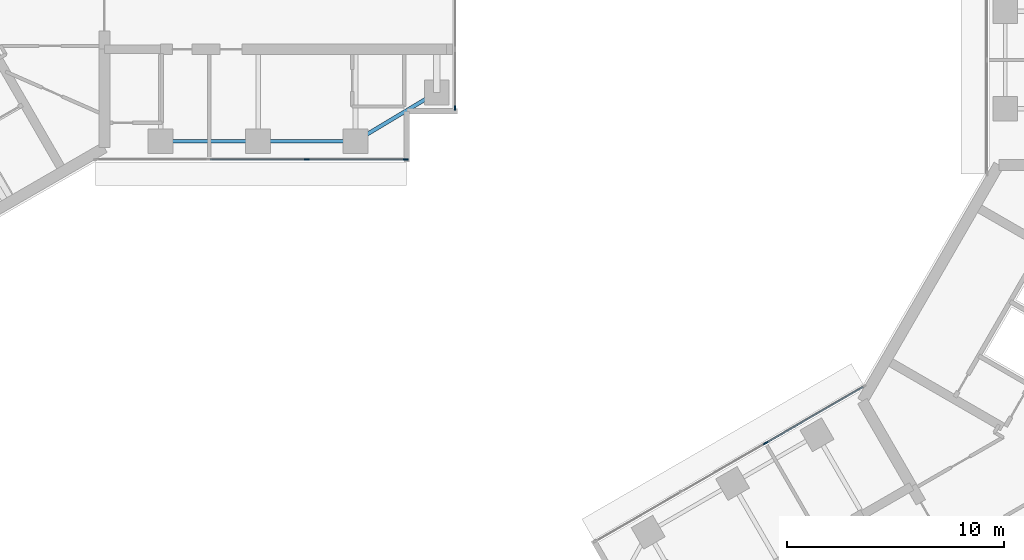
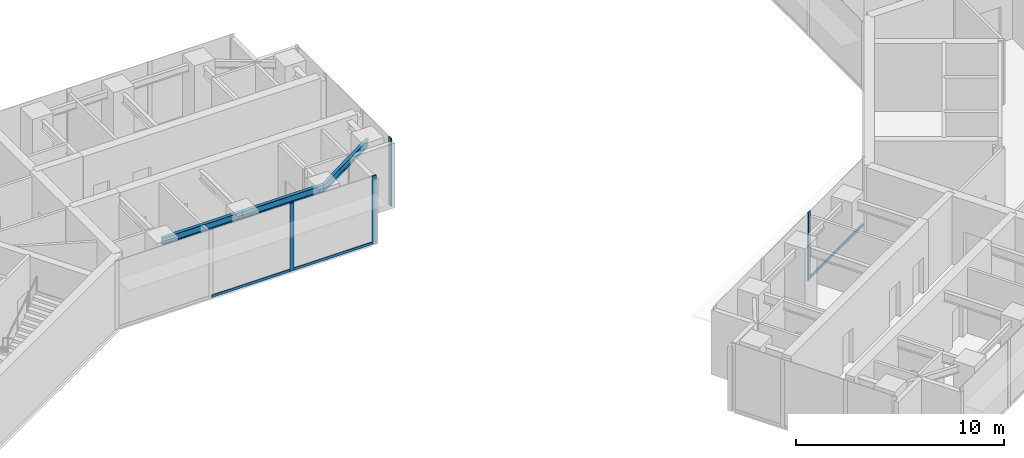
# One storey, part 4 of 17: 7 members, 3 beams, 3 elements without a shape of their own.
"""IFC4 building model written with IfcOpenShell, lengths in metres."""

from ifc_helpers import new_model, si_unit, direction, frame, origin, origin_2d, place, context, subcontext, project, spatial, rectangle, i_section, extrude, material, material_profile, profile_set, type_object, element, aggregate, save


model = new_model("IFC4")

# Units and contexts
model_context = context("Model", 3, precision=1e-05, world=origin(), true_north=direction((0.0, 1.0)))
body_context = subcontext(model_context, "Body", "Model", "MODEL_VIEW")
ifc_project = project(units=[si_unit("LENGTHUNIT", "METRE"), si_unit("AREAUNIT", "SQUARE_METRE"), si_unit("VOLUMEUNIT", "CUBIC_METRE"), si_unit("PLANEANGLEUNIT", "RADIAN"), si_unit("MASSUNIT", "GRAM", prefix="KILO")], contexts=[model_context])

# Site, building, storey
site_placement = place(None, origin())
site = spatial("IfcSite", under=ifc_project, at=site_placement, CompositionType="ELEMENT")
building_placement = place(site_placement, origin())
building = spatial("IfcBuilding", under=site, at=building_placement, Name="Upepo Twin Towers", CompositionType="ELEMENT")
storey_placement = place(building_placement, frame((0.0, 0.0, 198.5)))
storey = spatial("IfcBuildingStorey", under=building, at=storey_placement, Name="L48", CompositionType="ELEMENT", Elevation=198.5)

# Beams
ifc_material_1 = material(Name="Steel S355", Category="steel")
ifc_material_profile_1 = material_profile(ifc_material_1, i_section(OverallWidth=0.177978515625, OverallDepth=0.406494140625, WebThickness=0.0078125, FlangeThickness=0.0126953125, FilletRadius=0.01025390625, at=origin_2d()), Name="UB 406x178x60")
ifc_profile_set_1 = profile_set([ifc_material_profile_1], Name="Steel S355")
beam_type = type_object("IfcBeamType", Name="Beam UB 406x178x60", PredefinedType="BEAM", material=ifc_profile_set_1)
for number, where, z_axis, x_axis, name in (
    (1, (13.5, -6.0, 3.5966796875), (1.0, 0.0, 0.0), (0.0, 1.0, 0.0), "T1 edge beam AR 13.5-18.0"),
    (2, (18.0, -6.0, 3.5966796875), (1.0, 0.0, 0.0), (0.0, 1.0, 0.0), "T1 edge beam AR 18.0-22.5"),
):
    element("IfcBeam", number, at=place(storey_placement, frame(where, z_axis=z_axis, x_axis=x_axis)), inside=storey, type_object=beam_type, Name=name, PredefinedType="BEAM", context=body_context, shape_type="SweptSolid", body=[
        extrude(i_section(OverallWidth=0.177978515625, OverallDepth=0.406494140625, WebThickness=0.0078125, FlangeThickness=0.0126953125, FilletRadius=0.01025390625, at=origin_2d()), origin(), (0.0, 0.0, 1.0), 4.5),
    ])
beam_placement = place(storey_placement, frame((22.5, -6.0, 3.5966796875), z_axis=(0.857492925713, 0.514495755428, 0.0), x_axis=(-0.514495755428, 0.857492925713, 0.0)))
element("IfcBeam", 3, at=beam_placement, inside=storey, type_object=beam_type, Name="T1 nose edge beam AR", PredefinedType="BEAM", context=body_context, shape_type="SweptSolid", body=[
    extrude(i_section(OverallWidth=0.177978515625, OverallDepth=0.406494140625, WebThickness=0.0078125, FlangeThickness=0.0126953125, FilletRadius=0.01025390625, at=origin_2d()), origin(), (0.0, 0.0, 1.0), 4.373291015625),
])

# Curtain wall, members
ifc_material_2 = material(Name="Aluminium and fritted glass", Category="aluminium")
curtain_wall_type = type_object("IfcCurtainWallType", Name="Tower curtain wall TW3, fritted glass", PredefinedType="NOTDEFINED", material=ifc_material_2)
curtain_wall_1_placement = place(storey_placement, origin())
curtain_wall_1 = element("IfcCurtainWall", 4, at=curtain_wall_1_placement, inside=storey, type_object=curtain_wall_type, Name="T1 L48 wing A flank R curtain wall", PredefinedType="NOTDEFINED")
ifc_material_3 = material(Name="Aluminium mullion", Category="aluminium")
ifc_material_profile_2 = material_profile(ifc_material_3, rectangle(XDim=0.06494140625, YDim=0.22509765625, at=origin_2d()), Name="MULLION 65x225")
ifc_profile_set_2 = profile_set([ifc_material_profile_2], Name="Aluminium mullion")
member_type_1 = type_object("IfcMemberType", Name="Mullion 65x225 TW3", PredefinedType="MULLION", material=ifc_profile_set_2)
member_1_placement = place(storey_placement, frame((24.8173828125, -6.85009765625, 0.0), z_axis=(0.0, 0.0, 1.0), x_axis=(0.0, -1.0, 0.0)))
member_1 = element("IfcMember", 5, at=member_1_placement, type_object=member_type_1, Name="T1 L48 wing A flank R curtain wall mullion 1", PredefinedType="MULLION", context=body_context, shape_type="SweptSolid", body=[
    extrude(rectangle(XDim=0.06494140625, YDim=0.22509765625, at=origin_2d()), origin(), (0.0, 0.0, 1.0), 4.0),
])
member_2_placement = place(storey_placement, frame((20.25, -6.85009765625, 0.0), z_axis=(0.0, 0.0, 1.0), x_axis=(0.0, -1.0, 0.0)))
member_2 = element("IfcMember", 6, at=member_2_placement, type_object=member_type_1, Name="T1 L48 wing A flank R curtain wall mullion 2", PredefinedType="MULLION", context=body_context, shape_type="SweptSolid", body=[
    extrude(rectangle(XDim=0.06494140625, YDim=0.22509765625, at=origin_2d()), origin(), (0.0, 0.0, 1.0), 4.0),
])

# Curtain wall, member
curtain_wall_2_placement = place(storey_placement, origin())
curtain_wall_2 = element("IfcCurtainWall", 7, at=curtain_wall_2_placement, inside=storey, type_object=curtain_wall_type, Name="T1 L48 wing A nose curtain wall", PredefinedType="NOTDEFINED")
member_3_placement = place(storey_placement, frame((27.10009765625, -4.467529296875, 0.0), z_axis=(0.0, 0.0, 1.0), x_axis=(-1.0, 0.0, 0.0)))
member_3 = element("IfcMember", 8, at=member_3_placement, type_object=member_type_1, Name="T1 L48 wing A nose curtain wall mullion 1", PredefinedType="MULLION", context=body_context, shape_type="SweptSolid", body=[
    extrude(rectangle(XDim=0.06494140625, YDim=0.22509765625, at=origin_2d()), origin(), (0.0, 0.0, 1.0), 4.0),
])
aggregate(curtain_wall_2, [member_3])

curtain_wall_3_placement = place(storey_placement, origin())
curtain_wall_3 = element("IfcCurtainWall", 9, at=curtain_wall_3_placement, inside=storey, type_object=curtain_wall_type, Name="T2 L48 wing B flank R curtain wall", PredefinedType="NOTDEFINED")
member_4_placement = place(storey_placement, frame((41.43505859375, -19.942626953125, 0.0), z_axis=(0.0, 0.0, 1.0), x_axis=(-0.500000026527, 0.866025388469, 0.0)))
member_4 = element("IfcMember", 10, at=member_4_placement, type_object=member_type_1, Name="T2 L48 wing B flank R curtain wall mullion 3", PredefinedType="MULLION", context=body_context, shape_type="SweptSolid", body=[
    extrude(rectangle(XDim=0.06494140625, YDim=0.22509765625, at=origin_2d()), origin(), (0.0, 0.0, 1.0), 4.0),
])

# Member
ifc_material_4 = material(Name="Aluminium transom", Category="aluminium")
ifc_material_profile_3 = material_profile(ifc_material_4, rectangle(XDim=0.06494140625, YDim=0.14990234375, at=origin_2d()), Name="TRANSOM 65x150")
ifc_profile_set_3 = profile_set([ifc_material_profile_3], Name="Aluminium transom")
member_type_2 = type_object("IfcMemberType", Name="Transom 65x150 TW3", PredefinedType="USERDEFINED", material=ifc_profile_set_3)
member_5_placement = place(storey_placement, frame((24.784912109375, -6.85009765625, 0.074951171875), z_axis=(-1.0, 0.0, 0.0), x_axis=(0.0, -1.0, 0.0)))
member_5 = element("IfcMember", 11, at=member_5_placement, type_object=member_type_2, Name="T1 L48 wing A flank R curtain wall transom 1", ObjectType="TRANSOM", PredefinedType="USERDEFINED", context=body_context, shape_type="SweptSolid", body=[
    extrude(rectangle(XDim=0.06494140625, YDim=0.14990234375, at=origin_2d()), origin(), (0.0, 0.0, 1.0), 4.50244140625),
])

member_6_placement = place(storey_placement, frame((20.217529296875, -6.85009765625, 0.074951171875), z_axis=(-1.0, 0.0, 0.0), x_axis=(0.0, -1.0, 0.0)))
member_6 = element("IfcMember", 12, at=member_6_placement, type_object=member_type_2, Name="T1 L48 wing A flank R curtain wall transom 2", ObjectType="TRANSOM", PredefinedType="USERDEFINED", context=body_context, shape_type="SweptSolid", body=[
    extrude(rectangle(XDim=0.06494140625, YDim=0.14990234375, at=origin_2d()), origin(), (0.0, 0.0, 1.0), 4.43505859375),
])

aggregate(curtain_wall_1, [member_1, member_2, member_5, member_6])

member_7_placement = place(storey_placement, frame((41.463134765625, -19.926513671875, 0.074951171875), z_axis=(0.86602108507, 0.500007480159, 0.0), x_axis=(-0.500007480159, 0.86602108507, 0.0)))
member_7 = element("IfcMember", 13, at=member_7_placement, type_object=member_type_2, Name="T2 L48 wing B flank R curtain wall transom 3", ObjectType="TRANSOM", PredefinedType="USERDEFINED", context=body_context, shape_type="SweptSolid", body=[
    extrude(rectangle(XDim=0.06494140625, YDim=0.14990234375, at=origin_2d()), origin(), (0.0, 0.0, 1.0), 5.16552734375),
])

aggregate(curtain_wall_3, [member_4, member_7])

save(model, "model.ifc")
